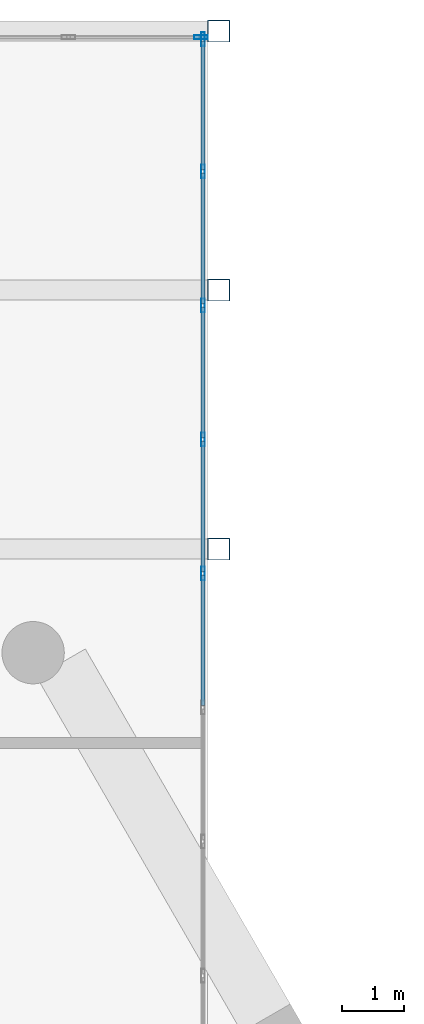
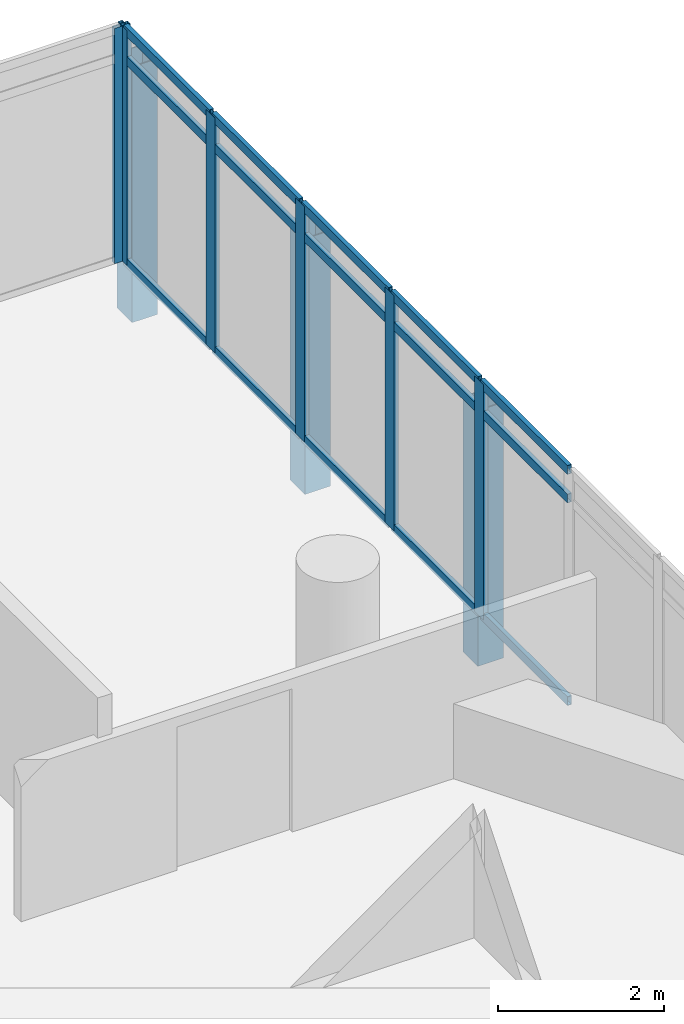
# One storey, part 21 of 29: 24 members, 2 elements without a shape of their own.
"""IFC4 building model written with IfcOpenShell, lengths in metres."""

from ifc_helpers import new_model, si_unit, direction, frame, origin, origin_2d, place, context, subcontext, project, spatial, hollow_rectangle, extrude, material, material_profile, profile_set, type_object, element, aggregate, save


model = new_model("IFC4")

# Units and contexts
model_context = context("Model", 3, precision=1e-05, world=origin(), true_north=direction((0.0, 1.0)))
body_context = subcontext(model_context, "Body", "Model", "MODEL_VIEW")
ifc_project = project(units=[si_unit("LENGTHUNIT", "METRE"), si_unit("AREAUNIT", "SQUARE_METRE"), si_unit("VOLUMEUNIT", "CUBIC_METRE"), si_unit("PLANEANGLEUNIT", "RADIAN"), si_unit("MASSUNIT", "GRAM", prefix="KILO")], contexts=[model_context])

# Site, building, storey
site_placement = place(None, origin())
site = spatial("IfcSite", under=ifc_project, at=site_placement, CompositionType="ELEMENT")
building_placement = place(site_placement, origin())
building = spatial("IfcBuilding", under=site, at=building_placement, Name="Ostrander Bayou Hotel Tower", CompositionType="ELEMENT")
storey_placement = place(building_placement, frame((0.0, 0.0, 202.0)))
storey = spatial("IfcBuildingStorey", under=building, at=storey_placement, Name="L50", CompositionType="ELEMENT", Elevation=202.0)

# Curtain wall, member
ifc_material_1 = material(Name="Aluminium and clear glass", Category="aluminium")
curtain_wall_type = type_object("IfcCurtainWallType", Name="CW-BAR glazed wall", PredefinedType="NOTDEFINED", material=ifc_material_1)
curtain_wall_1_placement = place(storey_placement, origin())
curtain_wall_1 = element("IfcCurtainWall", 1, at=curtain_wall_1_placement, inside=storey, type_object=curtain_wall_type, Name="CW-BAR L50:SB4N:T", PredefinedType="NOTDEFINED")
ifc_material_2 = material(Name="Aluminium", Category="aluminium")
ifc_material_profile_1 = material_profile(ifc_material_2, hollow_rectangle(XDim=0.06005859375, YDim=0.219970703125, WallThickness=0.00390625, at=origin_2d()))
ifc_profile_set_1 = profile_set([ifc_material_profile_1], Name="Aluminium")
member_type_1 = type_object("IfcMemberType", Name="CW-BR mullion 60 x 220 mm", PredefinedType="MULLION", material=ifc_profile_set_1)
member_1_placement = place(storey_placement, frame((11.8271484375, 27.916015625, 0.0), z_axis=(0.0, 0.0, 1.0), x_axis=(0.0, 1.0, 0.0)))
member_1 = element("IfcMember", 2, at=member_1_placement, type_object=member_type_1, Name="CW-BAR mullion 12", PredefinedType="MULLION", context=body_context, shape_type="SweptSolid", body=[
    extrude(hollow_rectangle(XDim=0.06005859375, YDim=0.219970703125, WallThickness=0.00390625, at=origin_2d()), origin(), (0.0, 0.0, 1.0), 3.449951171875),
])
aggregate(curtain_wall_1, [member_1])

# Curtain wall, members
curtain_wall_2_placement = place(storey_placement, origin())
curtain_wall_2 = element("IfcCurtainWall", 3, at=curtain_wall_2_placement, inside=storey, type_object=curtain_wall_type, Name="CW-BAR L50:SB4N:W", PredefinedType="NOTDEFINED")
member_2_placement = place(storey_placement, frame((11.857177734375, 19.3154296875, 0.0), z_axis=(0.0, 0.0, 1.0), x_axis=(-1.0, 0.0, 0.0)))
member_2 = element("IfcMember", 4, at=member_2_placement, type_object=member_type_1, Name="CW-BAR mullion 6", PredefinedType="MULLION", context=body_context, shape_type="SweptSolid", body=[
    extrude(hollow_rectangle(XDim=0.06005859375, YDim=0.219970703125, WallThickness=0.00390625, at=origin_2d()), origin(), (0.0, 0.0, 1.0), 3.449951171875),
])
member_3_placement = place(storey_placement, frame((11.857177734375, 21.465576171875, 0.0), z_axis=(0.0, 0.0, 1.0), x_axis=(-1.0, 0.0, 0.0)))
member_3 = element("IfcMember", 5, at=member_3_placement, type_object=member_type_1, Name="CW-BAR mullion 7", PredefinedType="MULLION", context=body_context, shape_type="SweptSolid", body=[
    extrude(hollow_rectangle(XDim=0.06005859375, YDim=0.219970703125, WallThickness=0.00390625, at=origin_2d()), origin(), (0.0, 0.0, 1.0), 3.449951171875),
])
member_4_placement = place(storey_placement, frame((11.857177734375, 23.61572265625, 0.0), z_axis=(0.0, 0.0, 1.0), x_axis=(-1.0, 0.0, 0.0)))
member_4 = element("IfcMember", 6, at=member_4_placement, type_object=member_type_1, Name="CW-BAR mullion 8", PredefinedType="MULLION", context=body_context, shape_type="SweptSolid", body=[
    extrude(hollow_rectangle(XDim=0.06005859375, YDim=0.219970703125, WallThickness=0.00390625, at=origin_2d()), origin(), (0.0, 0.0, 1.0), 3.449951171875),
])
member_5_placement = place(storey_placement, frame((11.857177734375, 25.765869140625, 0.0), z_axis=(0.0, 0.0, 1.0), x_axis=(-1.0, 0.0, 0.0)))
member_5 = element("IfcMember", 7, at=member_5_placement, type_object=member_type_1, Name="CW-BAR mullion 9", PredefinedType="MULLION", context=body_context, shape_type="SweptSolid", body=[
    extrude(hollow_rectangle(XDim=0.06005859375, YDim=0.219970703125, WallThickness=0.00390625, at=origin_2d()), origin(), (0.0, 0.0, 1.0), 3.449951171875),
])
member_6_placement = place(storey_placement, frame((11.857177734375, 27.885986328125, 0.0), z_axis=(0.0, 0.0, 1.0), x_axis=(-1.0, 0.0, 0.0)))
member_6 = element("IfcMember", 8, at=member_6_placement, type_object=member_type_1, Name="CW-BAR mullion 10", PredefinedType="MULLION", context=body_context, shape_type="SweptSolid", body=[
    extrude(hollow_rectangle(XDim=0.06005859375, YDim=0.219970703125, WallThickness=0.00390625, at=origin_2d()), origin(), (0.0, 0.0, 1.0), 3.449951171875),
])
ifc_material_3 = material(Name="Aluminium", Category="aluminium")
ifc_material_profile_2 = material_profile(ifc_material_3, hollow_rectangle(XDim=0.06005859375, YDim=0.1298828125, WallThickness=0.00390625, at=origin_2d()))
ifc_profile_set_2 = profile_set([ifc_material_profile_2], Name="Aluminium")
member_type_2 = type_object("IfcMemberType", Name="CW-BR transom 60 x 130 mm", PredefinedType="USERDEFINED", material=ifc_profile_set_2)
member_7_placement = place(storey_placement, frame((11.857177734375, 17.195068359375, 0.030029296875), z_axis=(0.0, 1.0, 0.0), x_axis=(-1.0, 0.0, 0.0)))
member_7 = element("IfcMember", 9, at=member_7_placement, type_object=member_type_2, Name="CW-BAR transom 5.1", ObjectType="TRANSOM", PredefinedType="USERDEFINED", context=body_context, shape_type="SweptSolid", body=[
    extrude(hollow_rectangle(XDim=0.06005859375, YDim=0.1298828125, WallThickness=0.00390625, at=origin_2d()), origin(), (0.0, 0.0, 1.0), 2.09033203125),
])
member_8_placement = place(storey_placement, frame((11.857177734375, 17.195068359375, 3.0), z_axis=(0.0, 1.0, 0.0), x_axis=(-1.0, 0.0, 0.0)))
member_8 = element("IfcMember", 10, at=member_8_placement, type_object=member_type_2, Name="CW-BAR transom 5.2", ObjectType="TRANSOM", PredefinedType="USERDEFINED", context=body_context, shape_type="SweptSolid", body=[
    extrude(hollow_rectangle(XDim=0.06005859375, YDim=0.1298828125, WallThickness=0.00390625, at=origin_2d()), origin(), (0.0, 0.0, 1.0), 2.09033203125),
])
member_9_placement = place(storey_placement, frame((11.857177734375, 17.195068359375, 3.419921875), z_axis=(0.0, 1.0, 0.0), x_axis=(-1.0, 0.0, 0.0)))
member_9 = element("IfcMember", 11, at=member_9_placement, type_object=member_type_2, Name="CW-BAR transom 5.3", ObjectType="TRANSOM", PredefinedType="USERDEFINED", context=body_context, shape_type="SweptSolid", body=[
    extrude(hollow_rectangle(XDim=0.06005859375, YDim=0.1298828125, WallThickness=0.00390625, at=origin_2d()), origin(), (0.0, 0.0, 1.0), 2.09033203125),
])
member_10_placement = place(storey_placement, frame((11.857177734375, 19.345458984375, 0.030029296875), z_axis=(0.0, 1.0, 0.0), x_axis=(-1.0, 0.0, 0.0)))
member_10 = element("IfcMember", 12, at=member_10_placement, type_object=member_type_2, Name="CW-BAR transom 6.1", ObjectType="TRANSOM", PredefinedType="USERDEFINED", context=body_context, shape_type="SweptSolid", body=[
    extrude(hollow_rectangle(XDim=0.06005859375, YDim=0.1298828125, WallThickness=0.00390625, at=origin_2d()), origin(), (0.0, 0.0, 1.0), 2.090087890625),
])
member_11_placement = place(storey_placement, frame((11.857177734375, 19.345458984375, 3.0), z_axis=(0.0, 1.0, 0.0), x_axis=(-1.0, 0.0, 0.0)))
member_11 = element("IfcMember", 13, at=member_11_placement, type_object=member_type_2, Name="CW-BAR transom 6.2", ObjectType="TRANSOM", PredefinedType="USERDEFINED", context=body_context, shape_type="SweptSolid", body=[
    extrude(hollow_rectangle(XDim=0.06005859375, YDim=0.1298828125, WallThickness=0.00390625, at=origin_2d()), origin(), (0.0, 0.0, 1.0), 2.090087890625),
])
member_12_placement = place(storey_placement, frame((11.857177734375, 19.345458984375, 3.419921875), z_axis=(0.0, 1.0, 0.0), x_axis=(-1.0, 0.0, 0.0)))
member_12 = element("IfcMember", 14, at=member_12_placement, type_object=member_type_2, Name="CW-BAR transom 6.3", ObjectType="TRANSOM", PredefinedType="USERDEFINED", context=body_context, shape_type="SweptSolid", body=[
    extrude(hollow_rectangle(XDim=0.06005859375, YDim=0.1298828125, WallThickness=0.00390625, at=origin_2d()), origin(), (0.0, 0.0, 1.0), 2.090087890625),
])
member_13_placement = place(storey_placement, frame((11.857177734375, 21.49560546875, 0.030029296875), z_axis=(0.0, 1.0, 0.0), x_axis=(-1.0, 0.0, 0.0)))
member_13 = element("IfcMember", 15, at=member_13_placement, type_object=member_type_2, Name="CW-BAR transom 7.1", ObjectType="TRANSOM", PredefinedType="USERDEFINED", context=body_context, shape_type="SweptSolid", body=[
    extrude(hollow_rectangle(XDim=0.06005859375, YDim=0.1298828125, WallThickness=0.00390625, at=origin_2d()), origin(), (0.0, 0.0, 1.0), 2.090087890625),
])
member_14_placement = place(storey_placement, frame((11.857177734375, 21.49560546875, 3.0), z_axis=(0.0, 1.0, 0.0), x_axis=(-1.0, 0.0, 0.0)))
member_14 = element("IfcMember", 16, at=member_14_placement, type_object=member_type_2, Name="CW-BAR transom 7.2", ObjectType="TRANSOM", PredefinedType="USERDEFINED", context=body_context, shape_type="SweptSolid", body=[
    extrude(hollow_rectangle(XDim=0.06005859375, YDim=0.1298828125, WallThickness=0.00390625, at=origin_2d()), origin(), (0.0, 0.0, 1.0), 2.090087890625),
])
member_15_placement = place(storey_placement, frame((11.857177734375, 21.49560546875, 3.419921875), z_axis=(0.0, 1.0, 0.0), x_axis=(-1.0, 0.0, 0.0)))
member_15 = element("IfcMember", 17, at=member_15_placement, type_object=member_type_2, Name="CW-BAR transom 7.3", ObjectType="TRANSOM", PredefinedType="USERDEFINED", context=body_context, shape_type="SweptSolid", body=[
    extrude(hollow_rectangle(XDim=0.06005859375, YDim=0.1298828125, WallThickness=0.00390625, at=origin_2d()), origin(), (0.0, 0.0, 1.0), 2.090087890625),
])
member_16_placement = place(storey_placement, frame((11.857177734375, 23.645751953125, 0.030029296875), z_axis=(0.0, 1.0, 0.0), x_axis=(-1.0, 0.0, 0.0)))
member_16 = element("IfcMember", 18, at=member_16_placement, type_object=member_type_2, Name="CW-BAR transom 8.1", ObjectType="TRANSOM", PredefinedType="USERDEFINED", context=body_context, shape_type="SweptSolid", body=[
    extrude(hollow_rectangle(XDim=0.06005859375, YDim=0.1298828125, WallThickness=0.00390625, at=origin_2d()), origin(), (0.0, 0.0, 1.0), 2.090087890625),
])
member_17_placement = place(storey_placement, frame((11.857177734375, 23.645751953125, 3.0), z_axis=(0.0, 1.0, 0.0), x_axis=(-1.0, 0.0, 0.0)))
member_17 = element("IfcMember", 19, at=member_17_placement, type_object=member_type_2, Name="CW-BAR transom 8.2", ObjectType="TRANSOM", PredefinedType="USERDEFINED", context=body_context, shape_type="SweptSolid", body=[
    extrude(hollow_rectangle(XDim=0.06005859375, YDim=0.1298828125, WallThickness=0.00390625, at=origin_2d()), origin(), (0.0, 0.0, 1.0), 2.090087890625),
])
member_18_placement = place(storey_placement, frame((11.857177734375, 23.645751953125, 3.419921875), z_axis=(0.0, 1.0, 0.0), x_axis=(-1.0, 0.0, 0.0)))
member_18 = element("IfcMember", 20, at=member_18_placement, type_object=member_type_2, Name="CW-BAR transom 8.3", ObjectType="TRANSOM", PredefinedType="USERDEFINED", context=body_context, shape_type="SweptSolid", body=[
    extrude(hollow_rectangle(XDim=0.06005859375, YDim=0.1298828125, WallThickness=0.00390625, at=origin_2d()), origin(), (0.0, 0.0, 1.0), 2.090087890625),
])
member_19_placement = place(storey_placement, frame((11.857177734375, 25.7958984375, 0.030029296875), z_axis=(0.0, 1.0, 0.0), x_axis=(-1.0, 0.0, 0.0)))
member_19 = element("IfcMember", 21, at=member_19_placement, type_object=member_type_2, Name="CW-BAR transom 9.1", ObjectType="TRANSOM", PredefinedType="USERDEFINED", context=body_context, shape_type="SweptSolid", body=[
    extrude(hollow_rectangle(XDim=0.06005859375, YDim=0.1298828125, WallThickness=0.00390625, at=origin_2d()), origin(), (0.0, 0.0, 1.0), 2.060302734375),
])
member_20_placement = place(storey_placement, frame((11.857177734375, 25.7958984375, 3.0), z_axis=(0.0, 1.0, 0.0), x_axis=(-1.0, 0.0, 0.0)))
member_20 = element("IfcMember", 22, at=member_20_placement, type_object=member_type_2, Name="CW-BAR transom 9.2", ObjectType="TRANSOM", PredefinedType="USERDEFINED", context=body_context, shape_type="SweptSolid", body=[
    extrude(hollow_rectangle(XDim=0.06005859375, YDim=0.1298828125, WallThickness=0.00390625, at=origin_2d()), origin(), (0.0, 0.0, 1.0), 2.060302734375),
])
member_21_placement = place(storey_placement, frame((11.857177734375, 25.7958984375, 3.419921875), z_axis=(0.0, 1.0, 0.0), x_axis=(-1.0, 0.0, 0.0)))
member_21 = element("IfcMember", 23, at=member_21_placement, type_object=member_type_2, Name="CW-BAR transom 9.3", ObjectType="TRANSOM", PredefinedType="USERDEFINED", context=body_context, shape_type="SweptSolid", body=[
    extrude(hollow_rectangle(XDim=0.06005859375, YDim=0.1298828125, WallThickness=0.00390625, at=origin_2d()), origin(), (0.0, 0.0, 1.0), 2.060302734375),
])
aggregate(curtain_wall_2, [member_2, member_3, member_4, member_5, member_6, member_7, member_8, member_9, member_10, member_11, member_12, member_13, member_14, member_15, member_16, member_17, member_18, member_19, member_20, member_21])

# Members
ifc_material_4 = material(Name="Steel ASTM A500 Gr C", Category="steel")
ifc_material_profile_3 = material_profile(ifc_material_4, hollow_rectangle(XDim=0.355712890625, YDim=0.355712890625, WallThickness=0.0146484375, at=origin_2d()))
ifc_profile_set_3 = profile_set([ifc_material_profile_3], Name="Steel ASTM A500 Gr C")
member_type_3 = type_object("IfcMemberType", Name="TH1 bar hanger HSS14x14x5/8", PredefinedType="POST", material=ifc_profile_set_3)
for number, where, z_axis, x_axis, name in (
    (24, (12.110107421875, 28.01611328125, -0.9111328125), (0.0, 0.0, 1.0), (1.0, 0.0, 0.0), "TH1 SB4WB H1-3"),
    (25, (12.110107421875, 23.861328125, -0.9111328125), (0.0, 0.0, 1.0), (1.0, 0.0, 0.0), "TH1 SB4WB H2-3"),
    (26, (12.110107421875, 19.706787109375, -0.9111328125), (0.0, 0.0, 1.0), (1.0, 0.0, 0.0), "TH1 SB4WB H3-3"),
):
    element("IfcMember", number, at=place(storey_placement, frame(where, z_axis=z_axis, x_axis=x_axis)), inside=storey, type_object=member_type_3, Name=name, PredefinedType="POST", context=body_context, shape_type="SweptSolid", body=[
        extrude(hollow_rectangle(XDim=0.355712890625, YDim=0.355712890625, WallThickness=0.0146484375, at=origin_2d()), origin(), (0.0, 0.0, 1.0), 3.75),
    ])

save(model, "model.ifc")
